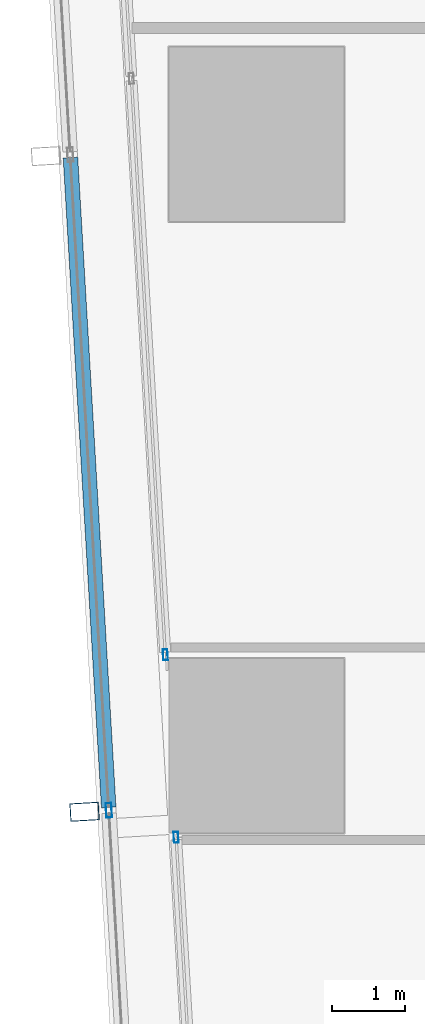
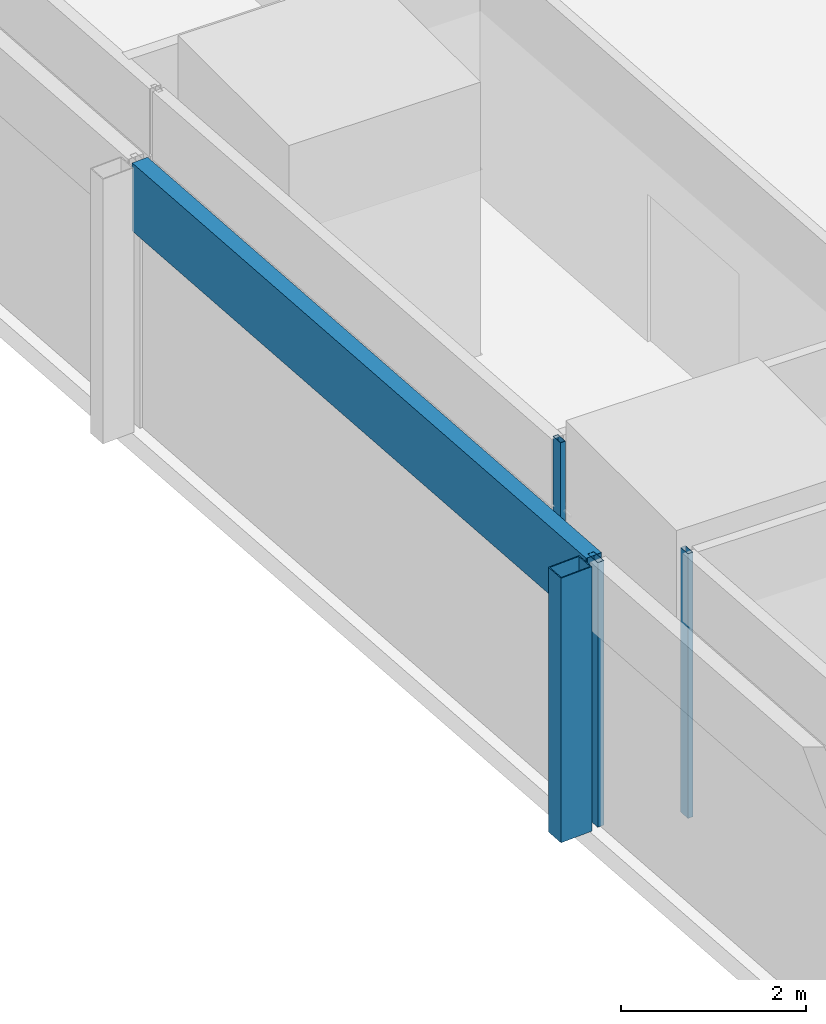
# One storey, part 4 of 37: 5 members, 3 elements without a shape of their own.
"""IFC4 building model written with IfcOpenShell, lengths in metres."""

from ifc_helpers import new_model, si_unit, direction, frame, origin, origin_2d, place, context, subcontext, project, spatial, hollow_rectangle, extrude, material, material_profile, profile_set, type_object, element, aggregate, save


model = new_model("IFC4")

# Units and contexts
model_context = context("Model", 3, precision=1e-05, world=origin(), true_north=direction((0.0, 1.0)))
body_context = subcontext(model_context, "Body", "Model", "MODEL_VIEW")
ifc_project = project(units=[si_unit("LENGTHUNIT", "METRE"), si_unit("AREAUNIT", "SQUARE_METRE"), si_unit("VOLUMEUNIT", "CUBIC_METRE"), si_unit("PLANEANGLEUNIT", "RADIAN"), si_unit("MASSUNIT", "GRAM", prefix="KILO")], contexts=[model_context])

# Site, building, storey
site_placement = place(None, origin())
site = spatial("IfcSite", under=ifc_project, at=site_placement, CompositionType="ELEMENT")
building_placement = place(site_placement, origin())
building = spatial("IfcBuilding", under=site, at=building_placement, Name="Rekha Terrace Tower", CompositionType="ELEMENT")
storey_placement = place(building_placement, frame((0.0, 0.0, 228.949951171875)))
storey = spatial("IfcBuildingStorey", under=building, at=storey_placement, Name="L58", CompositionType="ELEMENT", Elevation=228.949951171875)

# Curtain wall, member
ifc_material_1 = material(Name="Aluminium framing", Category="aluminium")
curtain_wall_type_1 = type_object("IfcCurtainWallType", Name="CW2 double skin outer glazing", PredefinedType="USERDEFINED", material=ifc_material_1)
curtain_wall_1_placement = place(storey_placement, origin())
curtain_wall_1 = element("IfcCurtainWall", 1, at=curtain_wall_1_placement, inside=storey, type_object=curtain_wall_type_1, Name="CW2 double skin outer glazing", ObjectType="DOUBLE SKIN OUTER GLAZING", PredefinedType="USERDEFINED")
ifc_material_2 = material(Name="Steel S355 with fluorocarbon finish", Category="steel")
ifc_material_profile_1 = material_profile(ifc_material_2, hollow_rectangle(XDim=0.25, YDim=0.39990234375, WallThickness=0.012451171875, at=origin_2d()), Name="RHS400x250x12.5")
ifc_profile_set_1 = profile_set([ifc_material_profile_1], Name="Steel S355 with fluorocarbon finish")
member_type_1 = type_object("IfcMemberType", Name="BL1 facade blade RHS 400 x 250", PredefinedType="USERDEFINED", material=ifc_profile_set_1)
member_1_placement = place(storey_placement, frame((6.03662109375, 24.292236328125, 0.0), z_axis=(0.0, 0.0, 1.0), x_axis=(0.058764522885, -0.998271872212, 0.0)))
member_1 = element("IfcMember", 2, at=member_1_placement, type_object=member_type_1, Name="Facade blade", ObjectType="FACADE BLADE", PredefinedType="USERDEFINED", context=body_context, shape_type="SweptSolid", body=[
    extrude(hollow_rectangle(XDim=0.25, YDim=0.39990234375, WallThickness=0.012451171875, at=origin_2d()), origin(), (0.0, 0.0, 1.0), 3.5),
])

curtain_wall_type_2 = type_object("IfcCurtainWallType", Name="CW1 double skin inner glazing", PredefinedType="USERDEFINED", material=ifc_material_1)
curtain_wall_2_placement = place(storey_placement, origin())
curtain_wall_2 = element("IfcCurtainWall", 3, at=curtain_wall_2_placement, inside=storey, type_object=curtain_wall_type_2, Name="CW1 double skin inner glazing", ObjectType="DOUBLE SKIN INNER GLAZING", PredefinedType="USERDEFINED")
ifc_material_3 = material(Name="Aluminium mullion section", Category="aluminium")
ifc_material_profile_2 = material_profile(ifc_material_3, hollow_rectangle(XDim=0.06494140625, YDim=0.14990234375, WallThickness=0.00390625, at=origin_2d()), Name="AL RHS 65x150")
ifc_profile_set_2 = profile_set([ifc_material_profile_2], Name="Aluminium mullion section")
member_type_2 = type_object("IfcMemberType", Name="CW1 mullion RHS 65 x 150", PredefinedType="MULLION", material=ifc_profile_set_2)
member_2_placement = place(storey_placement, frame((7.146728515625, 26.449462890625, 0.0), z_axis=(0.0, 0.0, 1.0), x_axis=(0.998271839267, 0.058765082551, 0.0)))
member_2 = element("IfcMember", 4, at=member_2_placement, type_object=member_type_2, Name="CW1 mullion 3", PredefinedType="MULLION", context=body_context, shape_type="SweptSolid", body=[
    extrude(hollow_rectangle(XDim=0.06494140625, YDim=0.14990234375, WallThickness=0.00390625, at=origin_2d()), origin(), (0.0, 0.0, 1.0), 3.5),
])
aggregate(curtain_wall_2, [member_2])

curtain_wall_3_placement = place(storey_placement, origin())
curtain_wall_3 = element("IfcCurtainWall", 5, at=curtain_wall_3_placement, inside=storey, type_object=curtain_wall_type_2, Name="CW1 double skin inner glazing", ObjectType="DOUBLE SKIN INNER GLAZING", PredefinedType="USERDEFINED")
member_3_placement = place(storey_placement, frame((7.294189453125, 23.94189453125, 0.0), z_axis=(0.0, 0.0, 1.0), x_axis=(0.99827183927, 0.058765082499, 0.0)))
member_3 = element("IfcMember", 6, at=member_3_placement, type_object=member_type_2, Name="CW1 mullion 1", PredefinedType="MULLION", context=body_context, shape_type="SweptSolid", body=[
    extrude(hollow_rectangle(XDim=0.06494140625, YDim=0.14990234375, WallThickness=0.00390625, at=origin_2d()), origin(), (0.0, 0.0, 1.0), 3.5),
])
aggregate(curtain_wall_3, [member_3])

# Member
ifc_material_profile_3 = material_profile(ifc_material_3, hollow_rectangle(XDim=0.080078125, YDim=0.199951171875, WallThickness=0.00390625, at=origin_2d()), Name="AL RHS 80x200")
ifc_profile_set_3 = profile_set([ifc_material_profile_3], Name="Aluminium mullion section")
member_type_3 = type_object("IfcMemberType", Name="CW2 mullion RHS 80 x 200", PredefinedType="MULLION", material=ifc_profile_set_3)
member_4_placement = place(storey_placement, frame((6.370849609375, 24.31201171875, 0.0), z_axis=(0.0, 0.0, 1.0), x_axis=(0.99827183927, 0.058765082499, 0.0)))
member_4 = element("IfcMember", 7, at=member_4_placement, type_object=member_type_3, Name="CW2 mullion 3", PredefinedType="MULLION", context=body_context, shape_type="SweptSolid", body=[
    extrude(hollow_rectangle(XDim=0.080078125, YDim=0.199951171875, WallThickness=0.00390625, at=origin_2d()), origin(), (0.0, 0.0, 1.0), 3.5),
])

ifc_material_4 = material(Name="Insulated aluminium spandrel box", Category="aluminium")
ifc_material_profile_4 = material_profile(ifc_material_4, hollow_rectangle(XDim=0.199951171875, YDim=0.89990234375, WallThickness=0.0029296875, at=origin_2d()), Name="AL SPANDREL BOX 200x900")
ifc_profile_set_4 = profile_set([ifc_material_profile_4], Name="Insulated aluminium spandrel box")
member_type_4 = type_object("IfcMemberType", Name="CW2 spandrel transom 200 x 900", PredefinedType="USERDEFINED", material=ifc_profile_set_4)
member_5_placement = place(storey_placement, frame((5.843017578125, 33.27978515625, 3.050048828125), z_axis=(0.058773229711, -0.998271359636, 0.0), x_axis=(0.998271359636, 0.058773229711, 0.0)))
member_5 = element("IfcMember", 8, at=member_5_placement, type_object=member_type_4, Name="CW2 spandrel transom 2", ObjectType="TRANSOM", PredefinedType="USERDEFINED", context=body_context, shape_type="SweptSolid", body=[
    extrude(hollow_rectangle(XDim=0.199951171875, YDim=0.89990234375, WallThickness=0.0029296875, at=origin_2d()), origin(), (0.0, 0.0, 1.0), 8.943359375),
])

aggregate(curtain_wall_1, [member_4, member_5, member_1])

save(model, "model.ifc")
